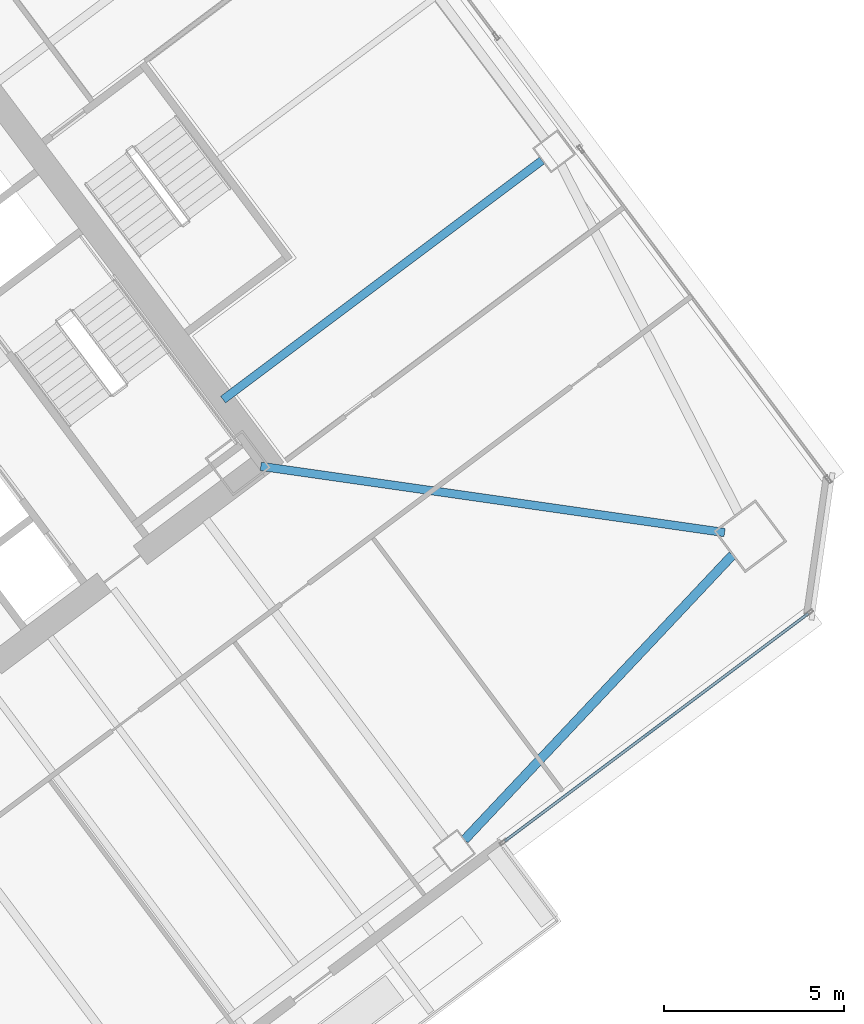
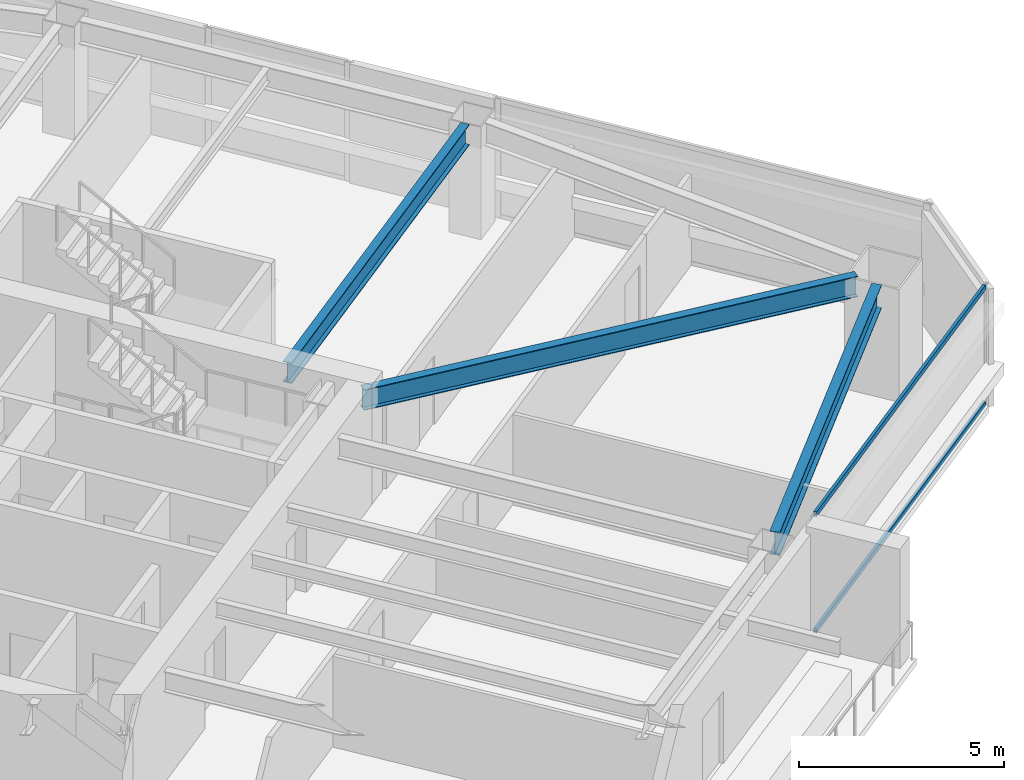
# One storey, part 25 of 46: 3 beams, 2 members, 1 element without a shape of its own.
"""IFC4 building model written with IfcOpenShell, lengths in metres."""

from ifc_helpers import new_model, si_unit, direction, frame, origin, origin_2d, place, context, subcontext, project, spatial, hollow_rectangle, i_section, extrude, material, material_profile, profile_set, type_object, element, aggregate, save


model = new_model("IFC4")

# Units and contexts
model_context = context("Model", 3, precision=1e-05, world=origin(), true_north=direction((0.0, 1.0)))
body_context = subcontext(model_context, "Body", "Model", "MODEL_VIEW")
ifc_project = project(units=[si_unit("LENGTHUNIT", "METRE"), si_unit("AREAUNIT", "SQUARE_METRE"), si_unit("VOLUMEUNIT", "CUBIC_METRE"), si_unit("PLANEANGLEUNIT", "RADIAN"), si_unit("MASSUNIT", "GRAM", prefix="KILO")], contexts=[model_context])

# Site, building, storey
site_placement = place(None, origin())
site = spatial("IfcSite", under=ifc_project, at=site_placement, CompositionType="ELEMENT")
building_placement = place(site_placement, origin())
building = spatial("IfcBuilding", under=site, at=building_placement, Name="Tashvorn Skyway Center", CompositionType="ELEMENT")
storey_placement = place(building_placement, frame((0.0, 0.0, 99.14990234375)))
storey = spatial("IfcBuildingStorey", under=building, at=storey_placement, Name="L26", CompositionType="ELEMENT", Elevation=99.14990234375)

# Beams
ifc_material_1 = material(Name="Steel ASTM A992 Grade 50", Category="steel")
ifc_material_profile_1 = material_profile(ifc_material_1, i_section(OverallWidth=0.22998046875, OverallDepth=0.616943359375, WebThickness=0.01318359375, FlangeThickness=0.022216796875, at=origin_2d()), Name="W24X94")
ifc_profile_set_1 = profile_set([ifc_material_profile_1], Name="Steel ASTM A992 Grade 50")
beam_type_1 = type_object("IfcBeamType", Name="BM-BEAM-W24X94", PredefinedType="BEAM", material=ifc_profile_set_1)
beam_1_placement = place(storey_placement, frame((137.3671875, 28.661865234375, 3.04150390625), z_axis=(-0.989949869571, 0.141418724841, 0.0), x_axis=(-0.141418724841, -0.989949869571, 0.0)))
element("IfcBeam", 1, at=beam_1_placement, inside=storey, type_object=beam_type_1, Name="Tower 2 L26 Primary Floor Girder MC-SE", PredefinedType="BEAM", context=body_context, shape_type="SweptSolid", body=[
    extrude(i_section(OverallWidth=0.22998046875, OverallDepth=0.616943359375, WebThickness=0.01318359375, FlangeThickness=0.022216796875, at=origin_2d()), origin(), (0.0, 0.0, 1.0), 12.9892578125),
])
beam_2_placement = place(storey_placement, frame((132.303955078125, 38.97802734375, 3.04150390625), z_axis=(-0.799989394625, -0.60001414024, 0.0), x_axis=(0.60001414024, -0.799989394625, 0.0)))
element("IfcBeam", 2, at=beam_2_placement, inside=storey, type_object=beam_type_1, Name="Tower 2 L26 Primary Floor Girder FC-E1", PredefinedType="BEAM", context=body_context, shape_type="SweptSolid", body=[
    extrude(i_section(OverallWidth=0.22998046875, OverallDepth=0.616943359375, WebThickness=0.01318359375, FlangeThickness=0.022216796875, at=origin_2d()), origin(), (0.0, 0.0, 1.0), 11.050048828125),
])
ifc_material_profile_2 = material_profile(ifc_material_1, i_section(OverallWidth=0.256103515625, OverallDepth=0.693115234375, WebThickness=0.014404296875, FlangeThickness=0.023681640625, at=origin_2d()), Name="W27X114")
ifc_profile_set_2 = profile_set([ifc_material_profile_2], Name="Steel ASTM A992 Grade 50")
beam_type_2 = type_object("IfcBeamType", Name="BM-SPANDREL-W27X114", PredefinedType="SPANDREL", material=ifc_profile_set_2)
beam_3_placement = place(storey_placement, frame((130.157958984375, 20.145751953125, 3.003662109375), z_axis=(0.685484857238, 0.728086883893, 0.0), x_axis=(-0.728086883893, 0.685484857238, 0.0)))
element("IfcBeam", 3, at=beam_3_placement, inside=storey, type_object=beam_type_2, Name="Tower 2 L26 Spandrel Beam 03", PredefinedType="SPANDREL", context=body_context, shape_type="SweptSolid", body=[
    extrude(i_section(OverallWidth=0.256103515625, OverallDepth=0.693115234375, WebThickness=0.014404296875, FlangeThickness=0.023681640625, at=origin_2d()), origin(), (0.0, 0.0, 1.0), 10.8369140625),
])

# Curtain wall, members
ifc_material_2 = material(Name="Thermally broken bronze-anodized aluminium 6063-T6", Category="aluminium")
curtain_wall_type = type_object("IfcCurtainWallType", Name="CW-CW-Z2", PredefinedType="NOTDEFINED", material=ifc_material_2)
curtain_wall_placement = place(storey_placement, origin())
curtain_wall = element("IfcCurtainWall", 4, at=curtain_wall_placement, inside=storey, type_object=curtain_wall_type, Name="Tower 2 L26 South Curtain Wall L", PredefinedType="NOTDEFINED")
ifc_material_profile_3 = material_profile(ifc_material_2, hollow_rectangle(XDim=0.080078125, YDim=0.14990234375, WallThickness=0.00439453125, at=origin_2d()), Name="ALU-TRAN-80x150")
ifc_profile_set_3 = profile_set([ifc_material_profile_3], Name="Thermally broken bronze-anodized aluminium 6063-T6")
member_type = type_object("IfcMemberType", Name="CWT-CW-Z2", PredefinedType="USERDEFINED", material=ifc_profile_set_3)
member_1_placement = place(storey_placement, frame((139.68798828125, 26.416015625, 0.0400390625), z_axis=(-0.8, -0.6, 0.0), x_axis=(0.6, -0.8, 0.0)))
member_1 = element("IfcMember", 5, at=member_1_placement, type_object=member_type, Name="CW-Z2 transom 1.1", ObjectType="TRANSOM", PredefinedType="USERDEFINED", context=body_context, shape_type="SweptSolid", body=[
    extrude(hollow_rectangle(XDim=0.080078125, YDim=0.14990234375, WallThickness=0.00439453125, at=origin_2d()), origin(), (0.0, 0.0, 1.0), 10.52001953125),
])
member_2_placement = place(storey_placement, frame((139.68798828125, 26.416015625, 3.510009765625), z_axis=(-0.8, -0.6, 0.0), x_axis=(0.6, -0.8, 0.0)))
member_2 = element("IfcMember", 6, at=member_2_placement, type_object=member_type, Name="CW-Z2 transom 1.2", ObjectType="TRANSOM", PredefinedType="USERDEFINED", context=body_context, shape_type="SweptSolid", body=[
    extrude(hollow_rectangle(XDim=0.080078125, YDim=0.14990234375, WallThickness=0.00439453125, at=origin_2d()), origin(), (0.0, 0.0, 1.0), 10.52001953125),
])
aggregate(curtain_wall, [member_1, member_2])

save(model, "model.ifc")
